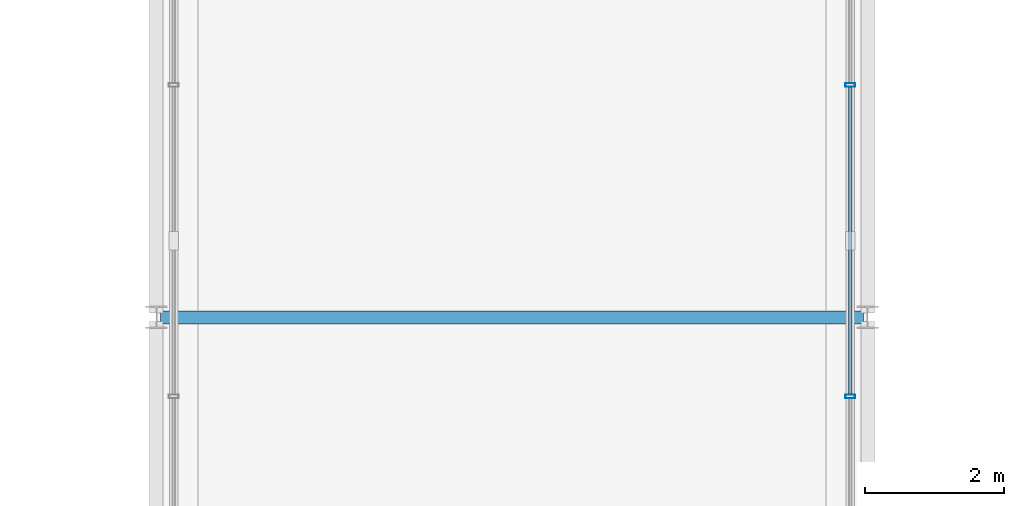
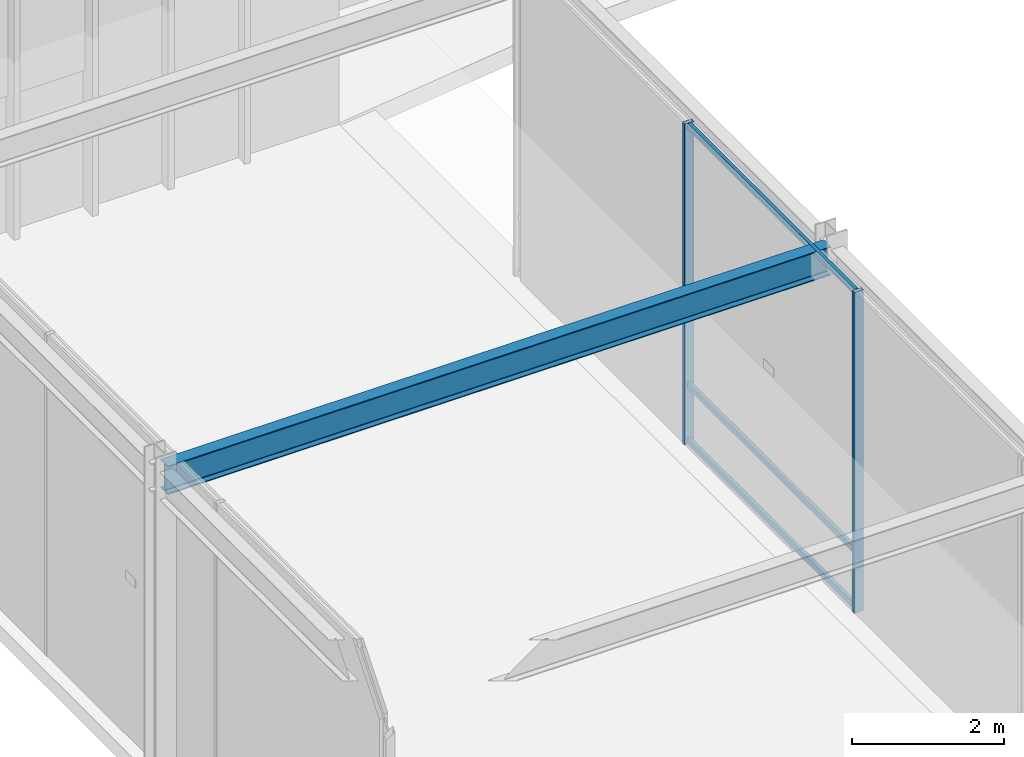
# One storey, part 33 of 157: 5 members, 1 beam, 1 element without a shape of its own.
"""IFC4 building model written with IfcOpenShell, lengths in metres."""

from ifc_helpers import new_model, si_unit, direction, frame, origin, origin_2d, place, context, subcontext, project, spatial, hollow_rectangle, i_section, extrude, material, material_profile, profile_set, type_object, element, aggregate, save


model = new_model("IFC4")

# Units and contexts
model_context = context("Model", 3, precision=1e-05, world=origin(), true_north=direction((0.0, 1.0)))
body_context = subcontext(model_context, "Body", "Model", "MODEL_VIEW")
ifc_project = project(units=[si_unit("LENGTHUNIT", "METRE"), si_unit("AREAUNIT", "SQUARE_METRE"), si_unit("VOLUMEUNIT", "CUBIC_METRE"), si_unit("PLANEANGLEUNIT", "RADIAN"), si_unit("MASSUNIT", "GRAM", prefix="KILO"), si_unit("THERMODYNAMICTEMPERATUREUNIT", "KELVIN"), si_unit("POWERUNIT", "WATT")], contexts=[model_context])

# Site, building, storey
site_placement = place(None, origin())
site = spatial("IfcSite", under=ifc_project, at=site_placement, CompositionType="ELEMENT")
building_placement = place(site_placement, origin())
building = spatial("IfcBuilding", under=site, at=building_placement, Name="Darbajah Civic Hall", CompositionType="ELEMENT")
storey_placement = place(building_placement, origin())
storey = spatial("IfcBuildingStorey", under=building, at=storey_placement, Name="L00", CompositionType="ELEMENT", Elevation=0.0)

# Curtain wall, members
ifc_material_1 = material(Name="Anodised Bronze Aluminium and Low-E Glazing", Category="aluminium")
curtain_wall_type = type_object("IfcCurtainWallType", Name="Unitised Curtain Wall CW-102 13400x5150", PredefinedType="USERDEFINED", material=ifc_material_1)
curtain_wall_placement = place(storey_placement, origin())
curtain_wall = element("IfcCurtainWall", 1, at=curtain_wall_placement, inside=storey, type_object=curtain_wall_type, Name="L00 unitised curtain wall CW-V6-PE-L00", ObjectType="UNITISED CURTAIN WALL", PredefinedType="USERDEFINED")
ifc_material_2 = material(Name="Anodised Bronze Aluminium", Category="aluminium")
ifc_material_profile_1 = material_profile(ifc_material_2, hollow_rectangle(XDim=0.054931640625, YDim=0.139892578125, WallThickness=0.003173828125, at=origin_2d()), Name="ALU MULLION 55x140")
ifc_profile_set_1 = profile_set([ifc_material_profile_1], Name="Anodised Bronze Aluminium")
member_type_1 = type_object("IfcMemberType", Name="ALU MULLION 55x140", PredefinedType="MULLION", material=ifc_profile_set_1)
member_1_placement = place(storey_placement, frame((93.949951171875, 46.86669921875, 0.0), z_axis=(0.0, 0.0, 1.0), x_axis=(0.0, 1.0, 0.0)))
member_1 = element("IfcMember", 2, at=member_1_placement, type_object=member_type_1, Name="CW-V6-PE-L00 mullion 2", PredefinedType="MULLION", context=body_context, shape_type="SweptSolid", body=[
    extrude(hollow_rectangle(XDim=0.054931640625, YDim=0.139892578125, WallThickness=0.003173828125, at=origin_2d()), origin(), (0.0, 0.0, 1.0), 5.159912109375),
])
member_2_placement = place(storey_placement, frame((93.949951171875, 51.333251953125, 0.0), z_axis=(0.0, 0.0, 1.0), x_axis=(0.0, 1.0, 0.0)))
member_2 = element("IfcMember", 3, at=member_2_placement, type_object=member_type_1, Name="CW-V6-PE-L00 mullion 3", PredefinedType="MULLION", context=body_context, shape_type="SweptSolid", body=[
    extrude(hollow_rectangle(XDim=0.054931640625, YDim=0.139892578125, WallThickness=0.003173828125, at=origin_2d()), origin(), (0.0, 0.0, 1.0), 5.159912109375),
])
ifc_material_profile_2 = material_profile(ifc_material_2, hollow_rectangle(XDim=0.054931640625, YDim=0.10009765625, WallThickness=0.0029296875, at=origin_2d()), Name="ALU TRANSOM 55x100")
ifc_profile_set_2 = profile_set([ifc_material_profile_2], Name="Anodised Bronze Aluminium")
member_type_2 = type_object("IfcMemberType", Name="ALU TRANSOM 55x100", PredefinedType="USERDEFINED", material=ifc_profile_set_2)
member_3_placement = place(storey_placement, frame((93.949951171875, 46.899169921875, 0.050048828125), z_axis=(0.0, 1.0, 0.0), x_axis=(-1.0, 0.0, 0.0)))
member_3 = element("IfcMember", 4, at=member_3_placement, type_object=member_type_2, Name="CW-V6-PE-L00 transom 2.1", ObjectType="TRANSOM", PredefinedType="USERDEFINED", context=body_context, shape_type="SweptSolid", body=[
    extrude(hollow_rectangle(XDim=0.054931640625, YDim=0.10009765625, WallThickness=0.0029296875, at=origin_2d()), origin(), (0.0, 0.0, 1.0), 4.401611328125),
])
member_4_placement = place(storey_placement, frame((93.949951171875, 46.899169921875, 0.949951171875), z_axis=(0.0, 1.0, 0.0), x_axis=(-1.0, 0.0, 0.0)))
member_4 = element("IfcMember", 5, at=member_4_placement, type_object=member_type_2, Name="CW-V6-PE-L00 transom 2.2", ObjectType="TRANSOM", PredefinedType="USERDEFINED", context=body_context, shape_type="SweptSolid", body=[
    extrude(hollow_rectangle(XDim=0.054931640625, YDim=0.10009765625, WallThickness=0.0029296875, at=origin_2d()), origin(), (0.0, 0.0, 1.0), 4.401611328125),
])
member_5_placement = place(storey_placement, frame((93.949951171875, 46.899169921875, 5.110107421875), z_axis=(0.0, 1.0, 0.0), x_axis=(-1.0, 0.0, 0.0)))
member_5 = element("IfcMember", 6, at=member_5_placement, type_object=member_type_2, Name="CW-V6-PE-L00 transom 2.3", ObjectType="TRANSOM", PredefinedType="USERDEFINED", context=body_context, shape_type="SweptSolid", body=[
    extrude(hollow_rectangle(XDim=0.054931640625, YDim=0.10009765625, WallThickness=0.0029296875, at=origin_2d()), origin(), (0.0, 0.0, 1.0), 4.401611328125),
])
aggregate(curtain_wall, [member_1, member_2, member_3, member_4, member_5])

# Beam
ifc_material_3 = material(Name="Steel S355JR", Category="steel")
ifc_material_profile_3 = material_profile(ifc_material_3, i_section(OverallWidth=0.1904296875, OverallDepth=0.45703125, WebThickness=0.009033203125, FlangeThickness=0.014404296875, FilletRadius=0.01025390625, at=origin_2d()), Name="UB 457x191x74")
ifc_profile_set_3 = profile_set([ifc_material_profile_3], Name="Steel S355JR")
beam_type = type_object("IfcBeamType", Name="UB 457x191x74", PredefinedType="BEAM", material=ifc_profile_set_3)
beam_placement = place(storey_placement, frame((84.06005859375, 48.0, 4.931396484375), z_axis=(1.0, 0.0, 0.0), x_axis=(0.0, 1.0, 0.0)))
element("IfcBeam", 7, at=beam_placement, inside=storey, type_object=beam_type, Name="L00 beam SB-457", PredefinedType="BEAM", context=body_context, shape_type="SweptSolid", body=[
    extrude(i_section(OverallWidth=0.1904296875, OverallDepth=0.45703125, WebThickness=0.009033203125, FlangeThickness=0.014404296875, FilletRadius=0.01025390625, at=origin_2d()), origin(), (0.0, 0.0, 1.0), 10.079833984375),
])

save(model, "model.ifc")
